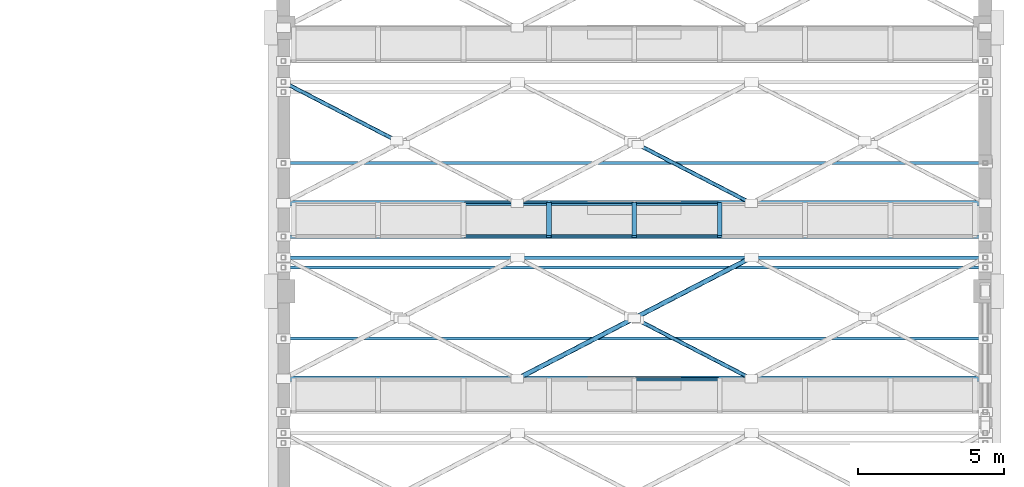
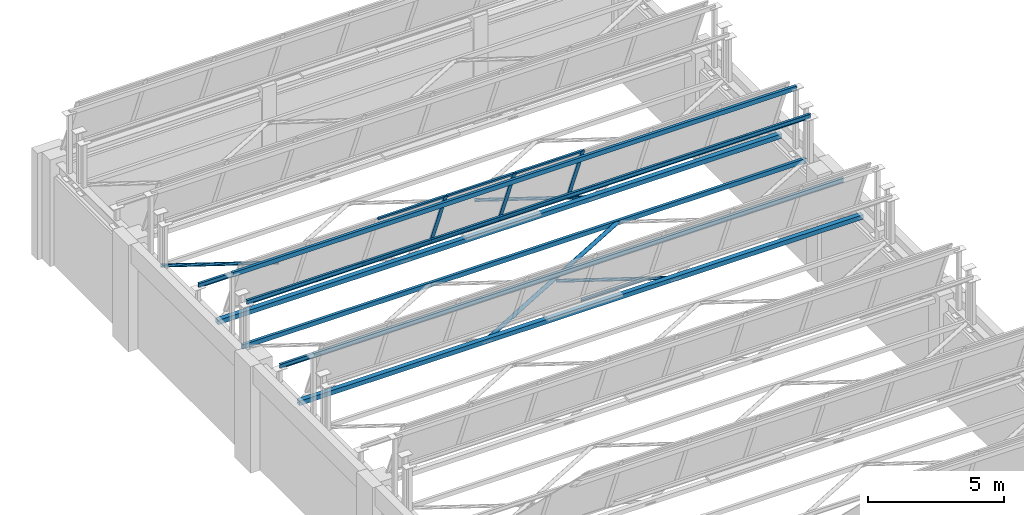
# One storey, part 58 of 98: 18 members, 3 beams, 2 elements without a shape of their own.
"""IFC4 building model written with IfcOpenShell, lengths in metres."""

import ifcopenshell
import ifcopenshell.guid

model = None  # the IFC model being written
_history = None  # IfcOwnerHistory: only IFC2X3 demands one
_inside = {}  # id of a spatial element -> (the spatial element, [elements in it])
_under = {}  # id of a project, library or spatial element -> (it, [spatial elements below it])
_declared = {}  # id of a project -> (the project, [libraries it declares])
_typed = {}  # id of a type object -> (the type object, [elements of that type])
_made_of = {}  # id of a material, layer set ... -> (it, [elements and type objects made of it])


def new_model(schema):
    """Start an empty IFC model of exactly this schema.

    Asked for "IFC4X3", IfcOpenShell would pick the latest addendum, in which some entities
    have other attributes; the version numbers below select the first issue.
    IFC2X3 requires an IfcOwnerHistory on every rooted entity: one is made here for all.
    """
    global model, _history
    if schema == "IFC4X3":
        model = ifcopenshell.file(schema_version=(4, 3, 0, 0))
    else:
        model = ifcopenshell.file(schema=schema)
    _inside.clear()
    _under.clear()
    _declared.clear()
    _typed.clear()
    _made_of.clear()
    _history = None
    if model.schema == "IFC2X3":
        org = make("IfcOrganization", Name="unknown")
        user = make(
            "IfcPersonAndOrganization",
            ThePerson=make("IfcPerson", FamilyName="unknown"),
            TheOrganization=org,
        )
        app = make(
            "IfcApplication",
            ApplicationDeveloper=org,
            Version="unknown",
            ApplicationFullName="unknown",
            ApplicationIdentifier="unknown",
        )
        _history = make(
            "IfcOwnerHistory",
            OwningUser=user,
            OwningApplication=app,
            ChangeAction="ADDED",
            CreationDate=0,
        )
    return model


def make(cls, **values):
    """One entity of the class cls with the attributes given. An attribute that is None is left unset."""
    return model.create_entity(
        cls, **{name: value for name, value in values.items() if value is not None}
    )


def rooted(cls, **values):
    """An entity with a GlobalId (a new one), such as an element, a storey or a relation."""
    return make(cls, GlobalId=ifcopenshell.guid.new(), OwnerHistory=_history, **values)


def si_unit(unit_type, name, prefix=None):
    """IfcSIUnit, for example si_unit("LENGTHUNIT", "METRE", prefix="MILLI")."""
    return make("IfcSIUnit", UnitType=unit_type, Prefix=prefix, Name=name)


def assignment(units):
    """IfcUnitAssignment: the units of a project."""
    return None if units is None else make("IfcUnitAssignment", Units=units)


def point(xyz):
    """IfcCartesianPoint."""
    return None if xyz is None else make("IfcCartesianPoint", Coordinates=xyz)


def direction(xyz):
    """IfcDirection."""
    return None if xyz is None else make("IfcDirection", DirectionRatios=xyz)


def frame(location, z_axis=None, x_axis=None):
    """IfcAxis2Placement3D, a coordinate frame: its origin and axes. An axis left out is left unset."""
    return make(
        "IfcAxis2Placement3D",
        Location=point(location),
        Axis=direction(z_axis),
        RefDirection=direction(x_axis),
    )


def frame_2d(location, x_axis=None):
    """IfcAxis2Placement2D, a coordinate frame in the plane: its origin and x axis."""
    return make(
        "IfcAxis2Placement2D", Location=point(location), RefDirection=direction(x_axis)
    )


def origin():
    """The frame at (0, 0, 0) with its axes left unset."""
    return frame((0.0, 0.0, 0.0))


def origin_2d():
    """The frame at (0, 0) in the plane with its x axis left unset."""
    return frame_2d((0.0, 0.0))


def place(relative_to, where):
    """IfcLocalPlacement: puts the frame where relative to a parent placement (None: the world)."""
    return make(
        "IfcLocalPlacement", PlacementRelTo=relative_to, RelativePlacement=where
    )


def context(
    kind, dimensions, precision=None, world=None, true_north=None, identifier=None
):
    """IfcGeometricRepresentationContext, for example the 3D "Model" context."""
    return make(
        "IfcGeometricRepresentationContext",
        ContextIdentifier=identifier,
        ContextType=kind,
        CoordinateSpaceDimension=dimensions,
        Precision=precision,
        WorldCoordinateSystem=world,
        TrueNorth=true_north,
    )


def subcontext(parent, identifier, kind, view, scale=None):
    """IfcGeometricRepresentationSubContext, for example "Body" below "Model"."""
    return make(
        "IfcGeometricRepresentationSubContext",
        ContextIdentifier=identifier,
        ContextType=kind,
        ParentContext=parent,
        TargetScale=scale,
        TargetView=view,
    )


def project(units=None, contexts=None):
    """IfcProject with its units and contexts."""
    return rooted(
        "IfcProject",
        Name="project",
        RepresentationContexts=contexts,
        UnitsInContext=assignment(units),
    )


def spatial(cls, under=None, at=None, **own):
    """A site, building, storey or space (cls), placed at a placement, below another one or the project."""
    s = rooted(cls, ObjectPlacement=at, **own)
    if under is not None:
        _under.setdefault(under.id(), (under, []))[1].append(s)
    return s


def profile(cls, at=None, kind="AREA", **sizes):
    """A parametric profile (cls). Its sizes go by their IFC names, for example OverallWidth=200.0."""
    return make(cls, ProfileType=kind, Position=at, **sizes)


def hollow_rectangle(**sizes):
    """IfcRectangleHollowProfileDef."""
    return profile("IfcRectangleHollowProfileDef", **sizes)


def hollow_circle(**sizes):
    """IfcCircleHollowProfileDef."""
    return profile("IfcCircleHollowProfileDef", **sizes)


def i_section(**sizes):
    """IfcIShapeProfileDef."""
    return profile("IfcIShapeProfileDef", **sizes)


def extrude(swept, where, along, depth):
    """IfcExtrudedAreaSolid: the profile swept, set in the frame where, extruded along a direction by depth."""
    return make(
        "IfcExtrudedAreaSolid",
        SweptArea=swept,
        Position=where,
        ExtrudedDirection=direction(along),
        Depth=depth,
    )


def shape(context_of_items, identifier, shape_type, items):
    """IfcShapeRepresentation: the items that make up one representation, for example the "Body"."""
    return make(
        "IfcShapeRepresentation",
        ContextOfItems=context_of_items,
        RepresentationIdentifier=identifier,
        RepresentationType=shape_type,
        Items=items,
    )


def material(Name=None, Category=None):
    """IfcMaterial."""
    return make("IfcMaterial", Name=Name, Category=Category)


def material_profile(
    of_material, cross_section, Name=None, Category=None, Priority=None
):
    """IfcMaterialProfile: a cross section and its material."""
    return make(
        "IfcMaterialProfile",
        Name=Name,
        Material=of_material,
        Profile=cross_section,
        Priority=Priority,
        Category=Category,
    )


def profile_set(profiles, Name=None, composite=None):
    """IfcMaterialProfileSet."""
    return make(
        "IfcMaterialProfileSet",
        Name=Name,
        MaterialProfiles=profiles,
        CompositeProfile=composite,
    )


def made_of(thing, what):
    """Note that an element or type object is made of a material, layer set ...; save() writes the relation."""
    if what is not None:
        _made_of.setdefault(what.id(), (what, []))[1].append(thing)
    return thing


def type_object(cls, material=None, **own):
    """A type object (cls), such as IfcWallType, which elements share."""
    return made_of(rooted(cls, **own), material)


def element(
    cls,
    number,
    at=None,
    inside=None,
    cuts=None,
    type_object=None,
    material=None,
    context=None,
    identifier="Body",
    shape_type=None,
    held_by="IfcProductDefinitionShape",
    body=None,
    shapes=None,
    **own,
):
    """One element of the class cls, such as IfcWall. Its Tag is "e" and its number.

    at: its placement. inside: the storey or other place that contains it. cuts: it is an
    opening in that element (IfcRelVoidsElement). A single representation is given by context,
    identifier, shape_type and body (its items); several are given by shapes. held_by: the class
    of the entity that holds the representations. save() writes the other relations.
    """
    e = rooted(cls, Tag="e%d" % number, ObjectPlacement=at, **own)
    if body is not None:
        shapes = [shape(context, identifier, shape_type, body)]
    if shapes is not None:
        e.Representation = make(held_by, Representations=shapes)
    if inside is not None:
        _inside.setdefault(inside.id(), (inside, []))[1].append(e)
    if cuts is not None:
        rooted(
            "IfcRelVoidsElement", RelatingBuildingElement=cuts, RelatedOpeningElement=e
        )
    if type_object is not None:
        _typed.setdefault(type_object.id(), (type_object, []))[1].append(e)
    return made_of(e, material)


def aggregate(whole, parts):
    """IfcRelAggregates: a whole, such as a stair, and the parts it consists of."""
    return rooted("IfcRelAggregates", RelatingObject=whole, RelatedObjects=parts)


def save(model, path):
    """Write the relations noted so far, then the file.

    IfcRelAggregates (storeys below a building ...), IfcRelContainedInSpatialStructure (elements
    in a storey), IfcRelDefinesByType, IfcRelAssociatesMaterial and IfcRelDeclares: one each for
    every whole, place, type object, material and project.
    """
    for whole, parts in _under.values():
        aggregate(whole, parts)
    for where, things in _inside.values():
        rooted(
            "IfcRelContainedInSpatialStructure",
            RelatedElements=things,
            RelatingStructure=where,
        )
    for kind, things in _typed.values():
        rooted("IfcRelDefinesByType", RelatedObjects=things, RelatingType=kind)
    for what, things in _made_of.values():
        rooted("IfcRelAssociatesMaterial", RelatedObjects=things, RelatingMaterial=what)
    for by, libraries in _declared.values():
        rooted("IfcRelDeclares", RelatingContext=by, RelatedDefinitions=libraries)
    model.write(path)


model = new_model("IFC4")

# Units and contexts
model_context = context("Model", 3, precision=1e-05, world=origin(), true_north=direction((0.0, 1.0)))
body_context = subcontext(model_context, "Body", "Model", "MODEL_VIEW")
ifc_project = project(units=[si_unit("LENGTHUNIT", "METRE"), si_unit("AREAUNIT", "SQUARE_METRE"), si_unit("VOLUMEUNIT", "CUBIC_METRE"), si_unit("PLANEANGLEUNIT", "RADIAN"), si_unit("MASSUNIT", "GRAM", prefix="KILO")], contexts=[model_context])

# Site, building, storey
site_placement = place(None, origin())
site = spatial("IfcSite", under=ifc_project, at=site_placement, CompositionType="ELEMENT")
building_placement = place(site_placement, origin())
building = spatial("IfcBuilding", under=site, at=building_placement, Name="Lykobir Media Centre", CompositionType="ELEMENT")
storey_placement = place(building_placement, frame((0.0, 0.0, 10.199951171875)))
storey = spatial("IfcBuildingStorey", under=building, at=storey_placement, Name="L02", CompositionType="ELEMENT", Elevation=10.199951171875)

# Members
ifc_material_1 = material(Name="Steel S355", Category="steel")
ifc_material_profile_1 = material_profile(ifc_material_1, hollow_circle(Radius=0.06982421875, WallThickness=0.008056640625, at=origin_2d()), Name="CHS 139.7x8.0")
ifc_profile_set_1 = profile_set([ifc_material_profile_1], Name="Steel S355")
member_type_1 = type_object("IfcMemberType", Name="BR-CHS140", PredefinedType="BRACE", material=ifc_profile_set_1)
member_1_placement = place(storey_placement, frame((160.0, 96.0, 4.43994140625), z_axis=(-0.887879780504, 0.460075532247, 0.0), x_axis=(-0.460075532247, -0.887879780504, 0.0)))
element("IfcMember", 1, at=member_1_placement, inside=storey, type_object=member_type_1, Name="Diagonal brace MEM2-L02-1600-0960-0146-1561-0980-0372", PredefinedType="BRACE", context=body_context, shape_type="SweptSolid", body=[
    extrude(hollow_circle(Radius=0.06982421875, WallThickness=0.008056640625, at=origin_2d()), origin(), (0.0, 0.0, 1.0), 4.365234375),
])
member_2_placement = place(storey_placement, frame((147.875732421875, 104.136962890625, 4.43994140625), z_axis=(-0.88790262671, 0.460031439666, 0.0), x_axis=(-0.460031439666, -0.88790262671, 0.0)))
element("IfcMember", 2, at=member_2_placement, inside=storey, type_object=member_type_1, Name="Diagonal brace MEM2-L02-1479-1041-0146-1440-1061-0390", PredefinedType="BRACE", context=body_context, shape_type="SweptSolid", body=[
    extrude(hollow_circle(Radius=0.06982421875, WallThickness=0.008056640625, at=origin_2d()), origin(), (0.0, 0.0, 1.0), 4.364990234375),
])
member_3_placement = place(storey_placement, frame((160.0, 102.0, 4.43994140625), z_axis=(-0.887879780504, 0.460075532247, 0.0), x_axis=(-0.460075532247, -0.887879780504, 0.0)))
element("IfcMember", 3, at=member_3_placement, inside=storey, type_object=member_type_1, Name="Diagonal brace MEM2-L02-1600-1020-0146-1561-1040-0392", PredefinedType="BRACE", context=body_context, shape_type="SweptSolid", body=[
    extrude(hollow_circle(Radius=0.06982421875, WallThickness=0.008056640625, at=origin_2d()), origin(), (0.0, 0.0, 1.0), 4.365234375),
])
ifc_material_profile_2 = material_profile(ifc_material_1, hollow_circle(Radius=0.084228515625, WallThickness=0.010009765625, at=origin_2d()), Name="CHS 168.3x10.0")
ifc_profile_set_2 = profile_set([ifc_material_profile_2], Name="Steel S355")
member_type_2 = type_object("IfcMemberType", Name="BR-CHS168", PredefinedType="BRACE", material=ifc_profile_set_2)
member_4_placement = place(storey_placement, frame((152.0, 96.0, 4.43994140625), z_axis=(0.887896386773, 0.460043483113, 0.0), x_axis=(-0.460043483113, 0.887896386773, 0.0)))
element("IfcMember", 4, at=member_4_placement, inside=storey, type_object=member_type_2, Name="Diagonal brace MEM2-L02-1520-0960-0146-1600-1001-0371", PredefinedType="BRACE", context=body_context, shape_type="SweptSolid", body=[
    extrude(hollow_circle(Radius=0.084228515625, WallThickness=0.010009765625, at=origin_2d()), origin(), (0.0, 0.0, 1.0), 9.010009765625),
])

# Curtain wall, members
ifc_material_2 = material(Name="Anodized Aluminium AW-6060", Category="aluminium")
curtain_wall_type = type_object("IfcCurtainWallType", Name="CW-NL-V2", PredefinedType="NOTDEFINED", material=ifc_material_2)
curtain_wall_1_placement = place(storey_placement, origin())
curtain_wall_1 = element("IfcCurtainWall", 5, at=curtain_wall_1_placement, inside=storey, type_object=curtain_wall_type, Name="Curtain wall CW-NL-V2-05", PredefinedType="NOTDEFINED")
ifc_material_profile_3 = material_profile(ifc_material_2, hollow_rectangle(XDim=0.070068359375, YDim=0.1650390625, WallThickness=0.00390625, at=origin_2d()), Name="ALU MULLION 70x165")
ifc_profile_set_3 = profile_set([ifc_material_profile_3], Name="Anodized Aluminium AW-6060")
member_type_3 = type_object("IfcMemberType", Name="CWM-165", PredefinedType="MULLION", material=ifc_profile_set_3)
member_5_placement = place(storey_placement, frame((153.080078125, 102.0, 4.800048828125), z_axis=(0.0, -0.374653582974, 0.927164868168), x_axis=(0.0, 0.927164868168, 0.374653582974)))
member_5 = element("IfcMember", 6, at=member_5_placement, type_object=member_type_3, Name="CW-NL-V2-05 mullion 4", PredefinedType="MULLION", context=body_context, shape_type="SweptSolid", body=[
    extrude(hollow_rectangle(XDim=0.070068359375, YDim=0.1650390625, WallThickness=0.00390625, at=origin_2d()), origin(), (0.0, 0.0, 1.0), 3.029541015625),
])
member_6_placement = place(storey_placement, frame((156.0, 102.0, 4.800048828125), z_axis=(0.0, -0.374653582974, 0.927164868168), x_axis=(0.0, 0.927164868168, 0.374653582974)))
member_6 = element("IfcMember", 7, at=member_6_placement, type_object=member_type_3, Name="CW-NL-V2-05 mullion 5", PredefinedType="MULLION", context=body_context, shape_type="SweptSolid", body=[
    extrude(hollow_rectangle(XDim=0.070068359375, YDim=0.1650390625, WallThickness=0.00390625, at=origin_2d()), origin(), (0.0, 0.0, 1.0), 3.029541015625),
])
member_7_placement = place(storey_placement, frame((158.919921875, 102.0, 4.800048828125), z_axis=(0.0, -0.374653582974, 0.927164868168), x_axis=(0.0, 0.927164868168, 0.374653582974)))
member_7 = element("IfcMember", 8, at=member_7_placement, type_object=member_type_3, Name="CW-NL-V2-05 mullion 6", PredefinedType="MULLION", context=body_context, shape_type="SweptSolid", body=[
    extrude(hollow_rectangle(XDim=0.070068359375, YDim=0.1650390625, WallThickness=0.00390625, at=origin_2d()), origin(), (0.0, 0.0, 1.0), 3.029541015625),
])

# Curtain wall, member
curtain_wall_2_placement = place(storey_placement, origin())
curtain_wall_2 = element("IfcCurtainWall", 9, at=curtain_wall_2_placement, inside=storey, type_object=curtain_wall_type, Name="Curtain wall CW-NL-V2-04", PredefinedType="NOTDEFINED")
ifc_material_profile_4 = material_profile(ifc_material_2, hollow_rectangle(XDim=0.070068359375, YDim=0.135009765625, WallThickness=0.00341796875, at=origin_2d()), Name="ALU TRANSOM 70x135")
ifc_profile_set_4 = profile_set([ifc_material_profile_4], Name="Anodized Aluminium AW-6060")
member_type_4 = type_object("IfcMemberType", Name="CWT-135", PredefinedType="USERDEFINED", material=ifc_profile_set_4)
member_8_placement = place(storey_placement, frame((156.034912109375, 95.98681640625, 4.83251953125), z_axis=(1.0, 0.0, 0.0), x_axis=(0.0, 0.927183854567, 0.374606593416)))
member_8 = element("IfcMember", 10, at=member_8_placement, type_object=member_type_4, Name="CW-NL-V2-04 transom 5.1", ObjectType="TRANSOM", PredefinedType="USERDEFINED", context=body_context, shape_type="SweptSolid", body=[
    extrude(hollow_rectangle(XDim=0.070068359375, YDim=0.135009765625, WallThickness=0.00341796875, at=origin_2d()), origin(), (0.0, 0.0, 1.0), 2.85009765625),
])
aggregate(curtain_wall_2, [member_8])

# Member
member_9_placement = place(storey_placement, frame((150.195068359375, 101.98681640625, 4.83251953125), z_axis=(1.0, 0.0, 0.0), x_axis=(0.0, 0.927183854567, 0.374606593416)))
member_9 = element("IfcMember", 11, at=member_9_placement, type_object=member_type_4, Name="CW-NL-V2-05 transom 3.1", ObjectType="TRANSOM", PredefinedType="USERDEFINED", context=body_context, shape_type="SweptSolid", body=[
    extrude(hollow_rectangle(XDim=0.070068359375, YDim=0.135009765625, WallThickness=0.00341796875, at=origin_2d()), origin(), (0.0, 0.0, 1.0), 2.849853515625),
])

member_10_placement = place(storey_placement, frame((150.195068359375, 100.878173828125, 7.57666015625), z_axis=(1.0, 0.0, 0.0), x_axis=(0.0, 0.927183854567, 0.374606593416)))
member_10 = element("IfcMember", 12, at=member_10_placement, type_object=member_type_4, Name="CW-NL-V2-05 transom 3.2", ObjectType="TRANSOM", PredefinedType="USERDEFINED", context=body_context, shape_type="SweptSolid", body=[
    extrude(hollow_rectangle(XDim=0.070068359375, YDim=0.135009765625, WallThickness=0.00341796875, at=origin_2d()), origin(), (0.0, 0.0, 1.0), 2.849853515625),
])

member_11_placement = place(storey_placement, frame((153.114990234375, 101.98681640625, 4.83251953125), z_axis=(1.0, 0.0, 0.0), x_axis=(0.0, 0.927183854567, 0.374606593416)))
member_11 = element("IfcMember", 13, at=member_11_placement, type_object=member_type_4, Name="CW-NL-V2-05 transom 4.1", ObjectType="TRANSOM", PredefinedType="USERDEFINED", context=body_context, shape_type="SweptSolid", body=[
    extrude(hollow_rectangle(XDim=0.070068359375, YDim=0.135009765625, WallThickness=0.00341796875, at=origin_2d()), origin(), (0.0, 0.0, 1.0), 2.85009765625),
])

member_12_placement = place(storey_placement, frame((153.114990234375, 100.878173828125, 7.57666015625), z_axis=(1.0, 0.0, 0.0), x_axis=(0.0, 0.927183854567, 0.374606593416)))
member_12 = element("IfcMember", 14, at=member_12_placement, type_object=member_type_4, Name="CW-NL-V2-05 transom 4.2", ObjectType="TRANSOM", PredefinedType="USERDEFINED", context=body_context, shape_type="SweptSolid", body=[
    extrude(hollow_rectangle(XDim=0.070068359375, YDim=0.135009765625, WallThickness=0.00341796875, at=origin_2d()), origin(), (0.0, 0.0, 1.0), 2.85009765625),
])

member_13_placement = place(storey_placement, frame((156.034912109375, 101.98681640625, 4.83251953125), z_axis=(1.0, 0.0, 0.0), x_axis=(0.0, 0.927183854567, 0.374606593416)))
member_13 = element("IfcMember", 15, at=member_13_placement, type_object=member_type_4, Name="CW-NL-V2-05 transom 5.1", ObjectType="TRANSOM", PredefinedType="USERDEFINED", context=body_context, shape_type="SweptSolid", body=[
    extrude(hollow_rectangle(XDim=0.070068359375, YDim=0.135009765625, WallThickness=0.00341796875, at=origin_2d()), origin(), (0.0, 0.0, 1.0), 2.85009765625),
])

member_14_placement = place(storey_placement, frame((156.034912109375, 100.878173828125, 7.57666015625), z_axis=(1.0, 0.0, 0.0), x_axis=(0.0, 0.927183854567, 0.374606593416)))
member_14 = element("IfcMember", 16, at=member_14_placement, type_object=member_type_4, Name="CW-NL-V2-05 transom 5.2", ObjectType="TRANSOM", PredefinedType="USERDEFINED", context=body_context, shape_type="SweptSolid", body=[
    extrude(hollow_rectangle(XDim=0.070068359375, YDim=0.135009765625, WallThickness=0.00341796875, at=origin_2d()), origin(), (0.0, 0.0, 1.0), 2.85009765625),
])

aggregate(curtain_wall_1, [member_5, member_6, member_7, member_9, member_10, member_11, member_12, member_13, member_14])

# Beams
ifc_material_profile_5 = material_profile(ifc_material_1, i_section(OverallWidth=0.10009765625, OverallDepth=0.199951171875, WebThickness=0.005615234375, FlangeThickness=0.008544921875, at=origin_2d()), Name="IPE 200")
ifc_profile_set_5 = profile_set([ifc_material_profile_5], Name="Steel S355")
beam_type = type_object("IfcBeamType", Name="PR-IPE200", PredefinedType="JOIST", material=ifc_profile_set_5)
for number, where, z_axis, x_axis, name in (
    (17, (144.0, 97.373291015625, 5.23046875), (1.0, 0.0, 0.0), (0.0, 1.0, 0.0), "Beam BM-L02-1440-0974-1680-0974-1543"),
    (18, (144.0, 99.805908203125, 6.634765625), (1.0, 0.0, 0.0), (0.0, 1.0, 0.0), "Beam BM-L02-1440-0998-1680-0998-1683"),
    (19, (144.0, 103.373291015625, 5.23046875), (1.0, 0.0, 0.0), (0.0, 1.0, 0.0), "Beam BM-L02-1440-1034-1680-1034-1543"),
):
    element("IfcBeam", number, at=place(storey_placement, frame(where, z_axis=z_axis, x_axis=x_axis)), inside=storey, type_object=beam_type, Name=name, PredefinedType="JOIST", context=body_context, shape_type="SweptSolid", body=[
        extrude(i_section(OverallWidth=0.10009765625, OverallDepth=0.199951171875, WebThickness=0.005615234375, FlangeThickness=0.008544921875, at=origin_2d()), origin(), (0.0, 0.0, 1.0), 24.0),
    ])

# Members
ifc_material_profile_6 = material_profile(ifc_material_1, hollow_rectangle(XDim=0.1201171875, YDim=0.199951171875, WallThickness=0.010009765625, at=origin_2d()), Name="RHS 200x120x10")
ifc_profile_set_6 = profile_set([ifc_material_profile_6], Name="Steel S355")
member_type_5 = type_object("IfcMemberType", Name="TC-RHS200", PredefinedType="CHORD", material=ifc_profile_set_6)
for number, where, z_axis, x_axis, name in (
    (20, (144.0, 100.864990234375, 7.259033203125), (1.0, 0.0, 0.0), (0.0, 1.0, 0.0), "Truss chord MEM2-L02-1440-1009-0175-1680-1009-0366"),
    (21, (144.0, 100.14501953125, 4.43994140625), (1.0, 0.0, 0.0), (0.0, 1.0, 0.0), "Truss chord MEM2-L02-1440-1001-0146-1680-1001-0367"),
):
    element("IfcMember", number, at=place(storey_placement, frame(where, z_axis=z_axis, x_axis=x_axis)), inside=storey, type_object=member_type_5, Name=name, PredefinedType="CHORD", context=body_context, shape_type="SweptSolid", body=[
        extrude(hollow_rectangle(XDim=0.1201171875, YDim=0.199951171875, WallThickness=0.010009765625, at=origin_2d()), origin(), (0.0, 0.0, 1.0), 24.0),
    ])
ifc_material_profile_7 = material_profile(ifc_material_1, hollow_rectangle(XDim=0.199951171875, YDim=0.199951171875, WallThickness=0.010009765625, at=origin_2d()), Name="SHS 200x200x10")
ifc_profile_set_7 = profile_set([ifc_material_profile_7], Name="Steel S355")
member_type_6 = type_object("IfcMemberType", Name="TC-SHS200", PredefinedType="CHORD", material=ifc_profile_set_7)
for number, where, z_axis, x_axis, name in (
    (22, (144.0, 96.0, 4.43994140625), (1.0, 0.0, 0.0), (0.0, 1.0, 0.0), "Truss chord MEM2-L02-1440-0960-0146-1680-0960-0361"),
    (23, (144.0, 102.0, 4.43994140625), (1.0, 0.0, 0.0), (0.0, 1.0, 0.0), "Truss chord MEM2-L02-1440-1020-0146-1680-1020-0381"),
):
    element("IfcMember", number, at=place(storey_placement, frame(where, z_axis=z_axis, x_axis=x_axis)), inside=storey, type_object=member_type_6, Name=name, PredefinedType="CHORD", context=body_context, shape_type="SweptSolid", body=[
        extrude(hollow_rectangle(XDim=0.199951171875, YDim=0.199951171875, WallThickness=0.010009765625, at=origin_2d()), origin(), (0.0, 0.0, 1.0), 24.0),
    ])

save(model, "model.ifc")
